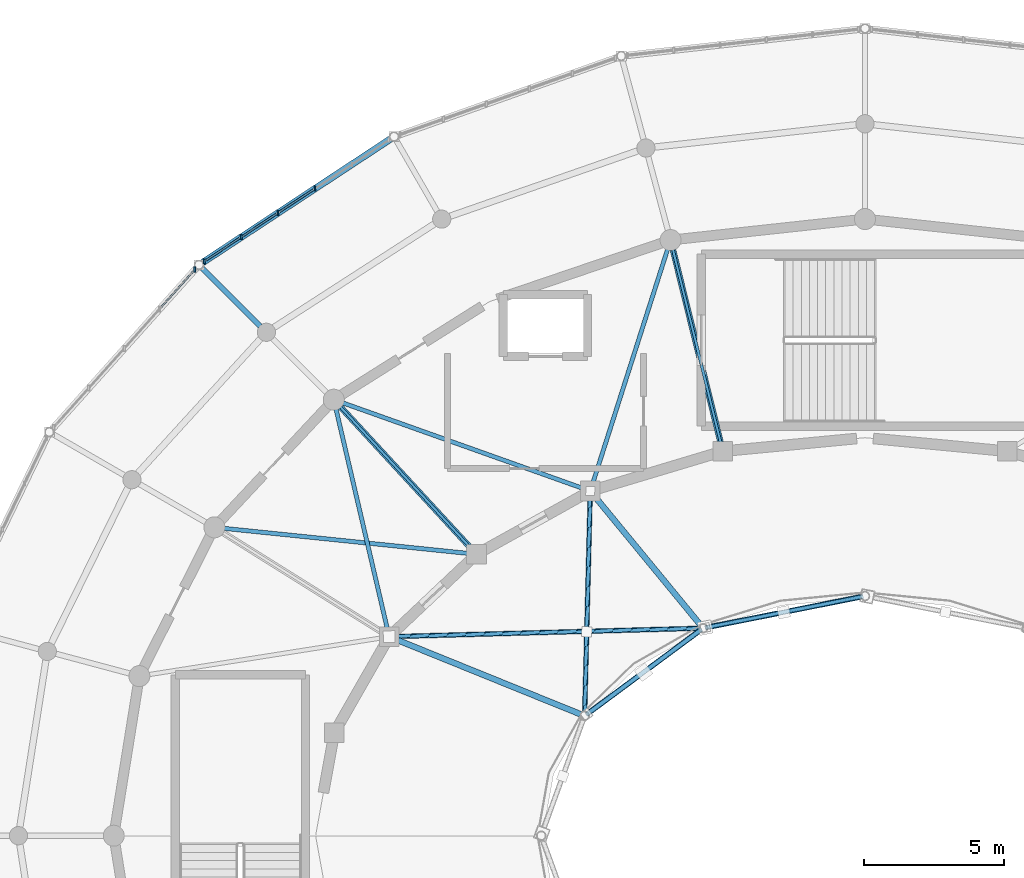
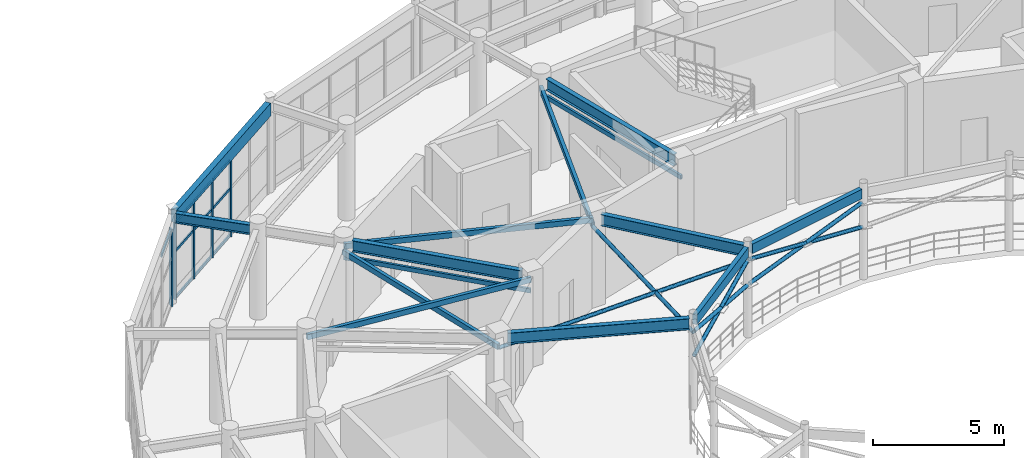
# One storey, part 21 of 60: 30 members, 8 beams, 2 elements without a shape of their own.
"""IFC4 building model written with IfcOpenShell, lengths in metres."""

from ifc_helpers import new_model, si_unit, direction, frame, origin, origin_2d, place, context, subcontext, project, spatial, rectangle, hollow_rectangle, hollow_circle, i_section, extrude, material, material_profile, profile_set, type_object, element, aggregate, save


model = new_model("IFC4")

# Units and contexts
model_context = context("Model", 3, precision=1e-05, world=origin(), true_north=direction((0.0, 1.0)))
body_context = subcontext(model_context, "Body", "Model", "MODEL_VIEW")
ifc_project = project(units=[si_unit("LENGTHUNIT", "METRE"), si_unit("AREAUNIT", "SQUARE_METRE"), si_unit("VOLUMEUNIT", "CUBIC_METRE"), si_unit("PLANEANGLEUNIT", "RADIAN"), si_unit("MASSUNIT", "GRAM", prefix="KILO")], contexts=[model_context])

# Site, building, storey
site_placement = place(None, origin())
site = spatial("IfcSite", under=ifc_project, at=site_placement, CompositionType="ELEMENT")
building_placement = place(site_placement, origin())
building = spatial("IfcBuilding", under=site, at=building_placement, Name="Cinderbank Siding Concert Hall", CompositionType="ELEMENT")
storey_placement = place(building_placement, frame((0.0, 0.0, 14.699951171875)))
storey = spatial("IfcBuildingStorey", under=building, at=storey_placement, Name="L04", CompositionType="ELEMENT", Elevation=14.699951171875)

# Beams
ifc_material_1 = material(Name="Structural steel AS/NZS 3679.1 Grade 350 (340 MPa)", Category="steel")
ifc_material_profile_1 = material_profile(ifc_material_1, i_section(OverallWidth=0.19091796875, OverallDepth=0.46044921875, WebThickness=0.010009765625, FlangeThickness=0.01611328125, at=origin_2d()), Name="460UB82.1", Category="LoadBearing")
ifc_profile_set_1 = profile_set([ifc_material_profile_1], Name="Structural steel AS/NZS 3679.1 Grade 350 (340 MPa)")
beam_type_1 = type_object("IfcBeamType", Name="BM-UB460H 460UB82.1", PredefinedType="BEAM", material=ifc_profile_set_1)
beam_1_placement = place(storey_placement, frame((100.421142578125, 62.184814453125, 4.001953125), z_axis=(-0.707106781187, 0.707106781187, 0.0), x_axis=(-0.707106781187, -0.707106781187, 0.0)))
element("IfcBeam", 1, at=beam_1_placement, inside=storey, type_object=beam_type_1, Name="L04 Beam BM-UB460H #744", PredefinedType="BEAM", context=body_context, shape_type="SweptSolid", body=[
    extrude(i_section(OverallWidth=0.19091796875, OverallDepth=0.46044921875, WebThickness=0.010009765625, FlangeThickness=0.01611328125, at=origin_2d()), origin(), (0.0, 0.0, 1.0), 2.928955078125),
])
ifc_material_profile_2 = material_profile(ifc_material_1, i_section(OverallWidth=0.208984375, OverallDepth=0.5283203125, WebThickness=0.009521484375, FlangeThickness=0.01318359375, at=origin_2d()), Name="530UB82.0", Category="LoadBearing")
ifc_profile_set_2 = profile_set([ifc_material_profile_2], Name="Structural steel AS/NZS 3679.1 Grade 350 (340 MPa)")
beam_type_2 = type_object("IfcBeamType", Name="BM-UB530 530UB82.0", PredefinedType="BEAM", material=ifc_profile_set_2)
beam_2_placement = place(storey_placement, frame((116.127197265625, 51.5234375, 3.988037109375), z_axis=(-0.635282201884, 0.772280081298, 0.0), x_axis=(-0.772280081298, -0.635282201884, 0.0)))
element("IfcBeam", 2, at=beam_2_placement, inside=storey, type_object=beam_type_2, Name="L04 Beam BM-UB530 #196", PredefinedType="BEAM", context=body_context, shape_type="SweptSolid", body=[
    extrude(i_section(OverallWidth=0.208984375, OverallDepth=0.5283203125, WebThickness=0.009521484375, FlangeThickness=0.01318359375, at=origin_2d()), origin(), (0.0, 0.0, 1.0), 5.83984375),
])
beam_3_placement = place(storey_placement, frame((111.854736328125, 48.332763671875, 3.988037109375), z_axis=(-0.926787327391, 0.375586541008, 0.0), x_axis=(-0.375586541008, -0.926787327391, 0.0)))
element("IfcBeam", 3, at=beam_3_placement, inside=storey, type_object=beam_type_2, Name="L04 Beam BM-UB530 #198", PredefinedType="BEAM", context=body_context, shape_type="SweptSolid", body=[
    extrude(i_section(OverallWidth=0.208984375, OverallDepth=0.5283203125, WebThickness=0.009521484375, FlangeThickness=0.01318359375, at=origin_2d()), origin(), (0.0, 0.0, 1.0), 7.026123046875),
])
ifc_material_profile_3 = material_profile(ifc_material_1, i_section(OverallWidth=0.208984375, OverallDepth=0.532958984375, WebThickness=0.01025390625, FlangeThickness=0.015625, at=origin_2d()), Name="530UB92.4", Category="LoadBearing")
ifc_profile_set_3 = profile_set([ifc_material_profile_3], Name="Structural steel AS/NZS 3679.1 Grade 350 (340 MPa)")
beam_type_3 = type_object("IfcBeamType", Name="BM-UB530H 530UB92.4", PredefinedType="BEAM", material=ifc_profile_set_3)
beam_4_placement = place(storey_placement, frame((116.844970703125, 58.048095703125, 3.985595703125), z_axis=(-0.240115631411, 0.970744293598, 0.0), x_axis=(-0.970744293598, -0.240115631411, 0.0)))
element("IfcBeam", 4, at=beam_4_placement, inside=storey, type_object=beam_type_3, Name="L04 Beam BM-UB530H #701", PredefinedType="BEAM", context=body_context, shape_type="SweptSolid", body=[
    extrude(i_section(OverallWidth=0.208984375, OverallDepth=0.532958984375, WebThickness=0.01025390625, FlangeThickness=0.015625, at=origin_2d()), origin(), (0.0, 0.0, 1.0), 7.05224609375),
])
beam_5_placement = place(storey_placement, frame((107.90869140625, 54.292236328125, 3.985595703125), z_axis=(-0.67829203735, 0.734792427879, 0.0), x_axis=(-0.734792427879, -0.67829203735, 0.0)))
element("IfcBeam", 5, at=beam_5_placement, inside=storey, type_object=beam_type_3, Name="L04 Beam BM-UB530H #702", PredefinedType="BEAM", context=body_context, shape_type="SweptSolid", body=[
    extrude(i_section(OverallWidth=0.208984375, OverallDepth=0.532958984375, WebThickness=0.01025390625, FlangeThickness=0.015625, at=origin_2d()), origin(), (0.0, 0.0, 1.0), 6.797119140625),
])

# Members
ifc_material_2 = material(Name="Structural steel hollow section AS/NZS 1163 Grade C350L0 (350 MPa)", Category="steel")
ifc_material_profile_4 = material_profile(ifc_material_2, hollow_circle(Radius=0.084228515625, WallThickness=0.007080078125, at=origin_2d()), Name="168.3x7.1CHS", Category="LoadBearing")
ifc_profile_set_4 = profile_set([ifc_material_profile_4], Name="Structural steel hollow section AS/NZS 1163 Grade C350L0 (350 MPa)")
member_type_1 = type_object("IfcMemberType", Name="BR-CHS168 168.3x7.1CHS Roof Truss", PredefinedType="BRACE", material=ifc_profile_set_4)
member_1_placement = place(storey_placement, frame((121.92138671875, 52.534423828125, 2.400146484375), z_axis=(-0.962024071577, -0.190807781612, 0.195197531189), x_axis=(0.194550158365, -0.980892571019, 0.0)))
element("IfcMember", 6, at=member_1_placement, inside=storey, type_object=member_type_1, Name="L04 Diagonal Brace BR-CHS168 #RKCR-BR-CHS168-L04-2104", PredefinedType="BRACE", context=body_context, shape_type="SweptSolid", body=[
    extrude(hollow_circle(Radius=0.084228515625, WallThickness=0.007080078125, at=origin_2d()), origin(), (0.0, 0.0, 1.0), 5.839599609375),
])
member_2_placement = place(storey_placement, frame((116.303466796875, 51.420166015625, 2.400146484375), z_axis=(0.962040141585, 0.190777594252, 0.195147829891), x_axis=(-0.194517417313, 0.980899064309, 0.0)))
element("IfcMember", 7, at=member_2_placement, inside=storey, type_object=member_type_1, Name="L04 Diagonal Brace BR-CHS168 #RKCR-BR-CHS168-L04-2105", PredefinedType="BRACE", context=body_context, shape_type="SweptSolid", body=[
    extrude(hollow_circle(Radius=0.084228515625, WallThickness=0.007080078125, at=origin_2d()), origin(), (0.0, 0.0, 1.0), 2.905029296875),
])
member_3_placement = place(storey_placement, frame((119.126953125, 51.97998046875, 2.972900390625), z_axis=(0.962002668162, 0.190870877109, 0.195241324318), x_axis=(-0.194616221116, 0.980879465826, 0.0)))
element("IfcMember", 8, at=member_3_placement, inside=storey, type_object=member_type_1, Name="L04 Diagonal Brace BR-CHS168 #RKCR-BR-CHS168-L04-2105-S206", PredefinedType="BRACE", context=body_context, shape_type="SweptSolid", body=[
    extrude(hollow_circle(Radius=0.084228515625, WallThickness=0.007080078125, at=origin_2d()), origin(), (0.0, 0.0, 1.0), 2.90478515625),
])
member_4_placement = place(storey_placement, frame((116.16064453125, 51.35693359375, 2.400146484375), z_axis=(-0.784369910815, -0.580673871078, 0.218132295765), x_axis=(0.595001989932, -0.803724226322, 0.0)))
element("IfcMember", 9, at=member_4_placement, inside=storey, type_object=member_type_1, Name="L04 Diagonal Brace BR-CHS168 #RKCR-BR-CHS168-L04-2106", PredefinedType="BRACE", context=body_context, shape_type="SweptSolid", body=[
    extrude(hollow_circle(Radius=0.084228515625, WallThickness=0.007080078125, at=origin_2d()), origin(), (0.0, 0.0, 1.0), 5.2255859375),
])
for number, where, z_axis, x_axis, name in (
    (10, (112.061767578125, 48.322509765625, 2.400146484375), (0.784352777564, 0.580699234671, 0.218126383504), (-0.595027173666, 0.803705582038, 0.0), "L04 Diagonal Brace BR-CHS168 #RKCR-BR-CHS168-L04-2107"),
    (11, (114.123046875, 49.848388671875, 2.973388671875), (0.784352777564, 0.580699234671, 0.218126383504), (-0.595027173666, 0.803705582038, 0.0), "L04 Diagonal Brace BR-CHS168 #RKCR-BR-CHS168-L04-2107-S207"),
):
    element("IfcMember", number, at=place(storey_placement, frame(where, z_axis=z_axis, x_axis=x_axis)), inside=storey, type_object=member_type_1, Name=name, PredefinedType="BRACE", context=body_context, shape_type="SweptSolid", body=[
        extrude(hollow_circle(Radius=0.084228515625, WallThickness=0.007080078125, at=origin_2d()), origin(), (0.0, 0.0, 1.0), 2.597900390625),
    ])
member_5_placement = place(storey_placement, frame((116.22509765625, 51.404541015625, 3.5400390625), z_axis=(-0.999630710519, -0.02717430014, 0.0), x_axis=(0.02717430014, -0.999630710519, 0.0)))
element("IfcMember", 12, at=member_5_placement, inside=storey, type_object=member_type_1, Name="L04 Diagonal Brace BR-CHS168 #RKHN-BR-CHS168-L04-2108", PredefinedType="BRACE", context=body_context, shape_type="SweptSolid", body=[
    extrude(hollow_circle(Radius=0.084228515625, WallThickness=0.007080078125, at=origin_2d()), origin(), (0.0, 0.0, 1.0), 11.203369140625),
])
member_6_placement = place(storey_placement, frame((111.997314453125, 48.27490234375, 3.5400390625), z_axis=(0.025286746999, 0.99968023909, 0.0), x_axis=(-0.99968023909, 0.025286746999, 0.0)))
element("IfcMember", 13, at=member_6_placement, inside=storey, type_object=member_type_1, Name="L04 Diagonal Brace BR-CHS168 #RKHN-BR-CHS168-L04-2109", PredefinedType="BRACE", context=body_context, shape_type="SweptSolid", body=[
    extrude(hollow_circle(Radius=0.084228515625, WallThickness=0.007080078125, at=origin_2d()), origin(), (0.0, 0.0, 1.0), 3.002685546875),
])
member_7_placement = place(storey_placement, frame((112.073974609375, 51.306640625, 3.5400390625), z_axis=(0.02523287706, 0.999681600268, 0.0), x_axis=(-0.999681600268, 0.02523287706, 0.0)))
element("IfcMember", 14, at=member_7_placement, inside=storey, type_object=member_type_1, Name="L04 Diagonal Brace BR-CHS168 #RKHN-BR-CHS168-L04-2109-S208", PredefinedType="BRACE", context=body_context, shape_type="SweptSolid", body=[
    extrude(hollow_circle(Radius=0.084228515625, WallThickness=0.007080078125, at=origin_2d()), origin(), (0.0, 0.0, 1.0), 4.99267578125),
])

# Curtain wall, members
ifc_material_3 = material(Name="Anodised aluminium alloy 6063-T6", Category="aluminium")
curtain_wall_type_1 = type_object("IfcCurtainWallType", Name="CW-09 Unitised Acoustic Curtain Wall 8000x3500", PredefinedType="NOTDEFINED", material=ifc_material_3)
curtain_wall_1_placement = place(storey_placement, origin())
curtain_wall_1 = element("IfcCurtainWall", 15, at=curtain_wall_1_placement, inside=storey, type_object=curtain_wall_type_1, Name="L04 Curtain Wall CW-09 #56", PredefinedType="NOTDEFINED")
ifc_material_profile_5 = material_profile(ifc_material_3, rectangle(XDim=0.06005859375, YDim=0.159912109375, at=origin_2d()), Name="ALU-MULL-60x160", Category="LoadBearing")
ifc_profile_set_5 = profile_set([ifc_material_profile_5], Name="Anodised aluminium alloy 6063-T6")
member_type_2 = type_object("IfcMemberType", Name="CW-ML1 Mullion 60x160", PredefinedType="MULLION", material=ifc_profile_set_5)
member_8_placement = place(storey_placement, frame((102.378662109375, 67.085693359375, 0.0), z_axis=(0.0, 0.0, 1.0), x_axis=(1.0, 0.0, 0.0)))
member_8 = element("IfcMember", 16, at=member_8_placement, type_object=member_type_2, Name="CW-L04-056 Mullion 2", PredefinedType="MULLION", context=body_context, shape_type="SweptSolid", body=[
    extrude(rectangle(XDim=0.06005859375, YDim=0.159912109375, at=origin_2d()), origin(), (0.0, 0.0, 1.0), 3.616943359375),
])
member_9_placement = place(storey_placement, frame((101.0625, 66.220458984375, 0.0), z_axis=(0.0, 0.0, 1.0), x_axis=(1.0, 0.0, 0.0)))
member_9 = element("IfcMember", 17, at=member_9_placement, type_object=member_type_2, Name="CW-L04-056 Mullion 3", PredefinedType="MULLION", context=body_context, shape_type="SweptSolid", body=[
    extrude(rectangle(XDim=0.06005859375, YDim=0.159912109375, at=origin_2d()), origin(), (0.0, 0.0, 1.0), 3.616943359375),
])
member_10_placement = place(storey_placement, frame((99.74658203125, 65.35498046875, 0.0), z_axis=(0.0, 0.0, 1.0), x_axis=(1.0, 0.0, 0.0)))
member_10 = element("IfcMember", 18, at=member_10_placement, type_object=member_type_2, Name="CW-L04-056 Mullion 4", PredefinedType="MULLION", context=body_context, shape_type="SweptSolid", body=[
    extrude(rectangle(XDim=0.06005859375, YDim=0.159912109375, at=origin_2d()), origin(), (0.0, 0.0, 1.0), 3.616943359375),
])
member_11_placement = place(storey_placement, frame((98.430908203125, 64.489501953125, 0.0), z_axis=(0.0, 0.0, 1.0), x_axis=(1.0, 0.0, 0.0)))
member_11 = element("IfcMember", 19, at=member_11_placement, type_object=member_type_2, Name="CW-L04-056 Mullion 5", PredefinedType="MULLION", context=body_context, shape_type="SweptSolid", body=[
    extrude(rectangle(XDim=0.06005859375, YDim=0.159912109375, at=origin_2d()), origin(), (0.0, 0.0, 1.0), 3.616943359375),
])

# Curtain wall, member
curtain_wall_type_2 = type_object("IfcCurtainWallType", Name="CW-10 Unitised Acoustic Curtain Wall 7200x3500", PredefinedType="NOTDEFINED", material=ifc_material_3)
curtain_wall_2_placement = place(storey_placement, origin())
curtain_wall_2 = element("IfcCurtainWall", 20, at=curtain_wall_2_placement, inside=storey, type_object=curtain_wall_type_2, Name="L04 Curtain Wall CW-10 #57", PredefinedType="NOTDEFINED")
ifc_material_profile_6 = material_profile(ifc_material_3, rectangle(XDim=0.06494140625, YDim=0.199951171875, at=origin_2d()), Name="ALU-MULL-65x200", Category="LoadBearing")
ifc_profile_set_6 = profile_set([ifc_material_profile_6], Name="Anodised aluminium alloy 6063-T6")
member_type_3 = type_object("IfcMemberType", Name="CW-ML2 Mullion 65x200", PredefinedType="MULLION", material=ifc_profile_set_6)
member_12_placement = place(storey_placement, frame((98.08984375, 64.195556640625, 0.0), z_axis=(0.0, 0.0, 1.0), x_axis=(1.0, 0.0, 0.0)))
member_12 = element("IfcMember", 21, at=member_12_placement, type_object=member_type_3, Name="CW-L04-057 Mullion 0", PredefinedType="MULLION", context=body_context, shape_type="SweptSolid", body=[
    extrude(rectangle(XDim=0.06494140625, YDim=0.199951171875, at=origin_2d()), origin(), (0.0, 0.0, 1.0), 3.616943359375),
])

# Member
ifc_material_profile_7 = material_profile(ifc_material_3, rectangle(XDim=0.06005859375, YDim=0.1201171875, at=origin_2d()), Name="ALU-TRAN-60x120", Category="LoadBearing")
ifc_profile_set_7 = profile_set([ifc_material_profile_7], Name="Anodised aluminium alloy 6063-T6")
member_type_4 = type_object("IfcMemberType", Name="CW-TR1 Transom 60x120", PredefinedType="USERDEFINED", material=ifc_profile_set_7)
member_13_placement = place(storey_placement, frame((102.312744140625, 67.04248046875, 0.06005859375), z_axis=(-0.835531529407, -0.549442502331, 0.0), x_axis=(0.549442502331, -0.835531529407, 0.0)))
member_13 = element("IfcMember", 22, at=member_13_placement, type_object=member_type_4, Name="CW-L04-056 Transom 2-0", ObjectType="TRANSOM", PredefinedType="USERDEFINED", context=body_context, shape_type="SweptSolid", body=[
    extrude(rectangle(XDim=0.06005859375, YDim=0.1201171875, at=origin_2d()), origin(), (0.0, 0.0, 1.0), 1.41748046875),
])

member_14_placement = place(storey_placement, frame((102.312744140625, 67.04248046875, 2.242431640625), z_axis=(-0.835531529407, -0.549442502331, 0.0), x_axis=(0.549442502331, -0.835531529407, 0.0)))
member_14 = element("IfcMember", 23, at=member_14_placement, type_object=member_type_4, Name="CW-L04-056 Transom 2-1", ObjectType="TRANSOM", PredefinedType="USERDEFINED", context=body_context, shape_type="SweptSolid", body=[
    extrude(rectangle(XDim=0.06005859375, YDim=0.1201171875, at=origin_2d()), origin(), (0.0, 0.0, 1.0), 1.41748046875),
])

member_15_placement = place(storey_placement, frame((102.312744140625, 67.04248046875, 3.55712890625), z_axis=(-0.835531529407, -0.549442502331, 0.0), x_axis=(0.549442502331, -0.835531529407, 0.0)))
member_15 = element("IfcMember", 24, at=member_15_placement, type_object=member_type_4, Name="CW-L04-056 Transom 2-2", ObjectType="TRANSOM", PredefinedType="USERDEFINED", context=body_context, shape_type="SweptSolid", body=[
    extrude(rectangle(XDim=0.06005859375, YDim=0.1201171875, at=origin_2d()), origin(), (0.0, 0.0, 1.0), 1.41748046875),
])

member_16_placement = place(storey_placement, frame((100.996826171875, 66.177001953125, 0.06005859375), z_axis=(-0.835531529407, -0.549442502331, 0.0), x_axis=(0.549442502331, -0.835531529407, 0.0)))
member_16 = element("IfcMember", 25, at=member_16_placement, type_object=member_type_4, Name="CW-L04-056 Transom 3-0", ObjectType="TRANSOM", PredefinedType="USERDEFINED", context=body_context, shape_type="SweptSolid", body=[
    extrude(rectangle(XDim=0.06005859375, YDim=0.1201171875, at=origin_2d()), origin(), (0.0, 0.0, 1.0), 1.41748046875),
])

member_17_placement = place(storey_placement, frame((100.996826171875, 66.177001953125, 2.242431640625), z_axis=(-0.835531529407, -0.549442502331, 0.0), x_axis=(0.549442502331, -0.835531529407, 0.0)))
member_17 = element("IfcMember", 26, at=member_17_placement, type_object=member_type_4, Name="CW-L04-056 Transom 3-1", ObjectType="TRANSOM", PredefinedType="USERDEFINED", context=body_context, shape_type="SweptSolid", body=[
    extrude(rectangle(XDim=0.06005859375, YDim=0.1201171875, at=origin_2d()), origin(), (0.0, 0.0, 1.0), 1.41748046875),
])

member_18_placement = place(storey_placement, frame((100.996826171875, 66.177001953125, 3.55712890625), z_axis=(-0.835531529407, -0.549442502331, 0.0), x_axis=(0.549442502331, -0.835531529407, 0.0)))
member_18 = element("IfcMember", 27, at=member_18_placement, type_object=member_type_4, Name="CW-L04-056 Transom 3-2", ObjectType="TRANSOM", PredefinedType="USERDEFINED", context=body_context, shape_type="SweptSolid", body=[
    extrude(rectangle(XDim=0.06005859375, YDim=0.1201171875, at=origin_2d()), origin(), (0.0, 0.0, 1.0), 1.41748046875),
])

member_19_placement = place(storey_placement, frame((99.680908203125, 65.3115234375, 0.06005859375), z_axis=(-0.835531529407, -0.549442502331, 0.0), x_axis=(0.549442502331, -0.835531529407, 0.0)))
member_19 = element("IfcMember", 28, at=member_19_placement, type_object=member_type_4, Name="CW-L04-056 Transom 4-0", ObjectType="TRANSOM", PredefinedType="USERDEFINED", context=body_context, shape_type="SweptSolid", body=[
    extrude(rectangle(XDim=0.06005859375, YDim=0.1201171875, at=origin_2d()), origin(), (0.0, 0.0, 1.0), 1.41748046875),
])

member_20_placement = place(storey_placement, frame((99.680908203125, 65.3115234375, 2.242431640625), z_axis=(-0.835531529407, -0.549442502331, 0.0), x_axis=(0.549442502331, -0.835531529407, 0.0)))
member_20 = element("IfcMember", 29, at=member_20_placement, type_object=member_type_4, Name="CW-L04-056 Transom 4-1", ObjectType="TRANSOM", PredefinedType="USERDEFINED", context=body_context, shape_type="SweptSolid", body=[
    extrude(rectangle(XDim=0.06005859375, YDim=0.1201171875, at=origin_2d()), origin(), (0.0, 0.0, 1.0), 1.41748046875),
])

member_21_placement = place(storey_placement, frame((99.680908203125, 65.3115234375, 3.55712890625), z_axis=(-0.835531529407, -0.549442502331, 0.0), x_axis=(0.549442502331, -0.835531529407, 0.0)))
member_21 = element("IfcMember", 30, at=member_21_placement, type_object=member_type_4, Name="CW-L04-056 Transom 4-2", ObjectType="TRANSOM", PredefinedType="USERDEFINED", context=body_context, shape_type="SweptSolid", body=[
    extrude(rectangle(XDim=0.06005859375, YDim=0.1201171875, at=origin_2d()), origin(), (0.0, 0.0, 1.0), 1.41748046875),
])

aggregate(curtain_wall_1, [member_8, member_9, member_10, member_11, member_13, member_14, member_15, member_16, member_17, member_18, member_19, member_20, member_21])

ifc_material_profile_8 = material_profile(ifc_material_3, rectangle(XDim=0.06494140625, YDim=0.14990234375, at=origin_2d()), Name="ALU-TRAN-65x150", Category="LoadBearing")
ifc_profile_set_8 = profile_set([ifc_material_profile_8], Name="Anodised aluminium alloy 6063-T6")
member_type_5 = type_object("IfcMemberType", Name="CW-TR2 Transom 65x150", PredefinedType="USERDEFINED", material=ifc_profile_set_8)
member_22_placement = place(storey_placement, frame((98.02685546875, 64.125244140625, 3.55712890625), z_axis=(-0.667017441515, -0.745042101304, 0.0), x_axis=(0.745042101304, -0.667017441515, 0.0)))
member_22 = element("IfcMember", 31, at=member_22_placement, type_object=member_type_5, Name="CW-L04-057 Transom 0-2", ObjectType="TRANSOM", PredefinedType="USERDEFINED", context=body_context, shape_type="SweptSolid", body=[
    extrude(rectangle(XDim=0.06494140625, YDim=0.14990234375, at=origin_2d()), origin(), (0.0, 0.0, 1.0), 1.698974609375),
])

aggregate(curtain_wall_2, [member_12, member_22])

# Members
ifc_material_profile_9 = material_profile(ifc_material_2, hollow_rectangle(XDim=0.10009765625, YDim=0.199951171875, WallThickness=0.008056640625, at=origin_2d()), Name="200x100x8.0RHS", Category="LoadBearing")
ifc_profile_set_9 = profile_set([ifc_material_profile_9], Name="Structural steel hollow section AS/NZS 1163 Grade C350L0 (350 MPa)")
member_type_6 = type_object("IfcMemberType", Name="PR-RHS200 200x100x8.0RHS Roof Truss", PredefinedType="PURLIN", material=ifc_profile_set_9)
member_23_placement = place(storey_placement, frame((116.927001953125, 57.716064453125, 3.340087890625), z_axis=(-0.240070192761, 0.970755531814, 0.0), x_axis=(-0.970755531814, -0.240070192761, 0.0)))
element("IfcMember", 32, at=member_23_placement, inside=storey, type_object=member_type_6, Name="L04 Roof Truss Member PR-RHS200 #2274", PredefinedType="PURLIN", context=body_context, shape_type="SweptSolid", body=[
    extrude(hollow_rectangle(XDim=0.10009765625, YDim=0.199951171875, WallThickness=0.008056640625, at=origin_2d()), origin(), (0.0, 0.0, 1.0), 7.761474609375),
])
member_24_placement = place(storey_placement, frame((108.140625, 54.041015625, 3.340087890625), z_axis=(-0.678276049894, 0.734807185689, 0.0), x_axis=(-0.734807185689, -0.678276049894, 0.0)))
element("IfcMember", 33, at=member_24_placement, inside=storey, type_object=member_type_6, Name="L04 Roof Truss Member PR-RHS200 #2278", PredefinedType="PURLIN", context=body_context, shape_type="SweptSolid", body=[
    extrude(hollow_rectangle(XDim=0.10009765625, YDim=0.199951171875, WallThickness=0.008056640625, at=origin_2d()), origin(), (0.0, 0.0, 1.0), 7.505859375),
])

# Beams
ifc_material_4 = material(Name="Spotted gum glulam timber GL18 (42 MPa)", Category="wood")
ifc_material_profile_10 = material_profile(ifc_material_4, rectangle(XDim=0.18994140625, YDim=0.449951171875, at=origin_2d()), Name="GL18-190x450", Category="LoadBearing")
ifc_profile_set_10 = profile_set([ifc_material_profile_10], Name="Spotted gum glulam timber GL18 (42 MPa)")
beam_type_4 = type_object("IfcBeamType", Name="SP-GL450 GL18-190x450", PredefinedType="SPANDREL", material=ifc_profile_set_10)
beam_6_placement = place(storey_placement, frame((121.84912109375, 52.52001953125, 4.027099609375), z_axis=(-0.980895780778, -0.194533974545, 0.0), x_axis=(0.194533974545, -0.980895780778, 0.0)))
element("IfcBeam", 34, at=beam_6_placement, inside=storey, type_object=beam_type_4, Name="L04 Beam SP-GL450 #194", PredefinedType="SPANDREL", context=body_context, shape_type="SweptSolid", body=[
    extrude(rectangle(XDim=0.18994140625, YDim=0.449951171875, at=origin_2d()), origin(), (0.0, 0.0, 1.0), 5.579833984375),
])
beam_7_placement = place(storey_placement, frame((116.101318359375, 51.31298828125, 4.027099609375), z_axis=(-0.803752781555, -0.594963415801, 0.0), x_axis=(0.594963415801, -0.803752781555, 0.0)))
element("IfcBeam", 35, at=beam_7_placement, inside=storey, type_object=beam_type_4, Name="L04 Beam SP-GL450 #195", PredefinedType="SPANDREL", context=body_context, shape_type="SweptSolid", body=[
    extrude(rectangle(XDim=0.18994140625, YDim=0.449951171875, at=origin_2d()), origin(), (0.0, 0.0, 1.0), 4.9521484375),
])
ifc_material_profile_11 = material_profile(ifc_material_4, rectangle(XDim=0.239990234375, YDim=0.60009765625, at=origin_2d()), Name="GL18-240x600", Category="LoadBearing")
ifc_profile_set_11 = profile_set([ifc_material_profile_11], Name="Spotted gum glulam timber GL18 (42 MPa)")
beam_type_5 = type_object("IfcBeamType", Name="SP-GL600 GL18-240x600", PredefinedType="SPANDREL", material=ifc_profile_set_11)
beam_8_placement = place(storey_placement, frame((105.0712890625, 68.85693359375, 3.93212890625), z_axis=(-0.835480702777, -0.549519786074, 0.0), x_axis=(0.549519786074, -0.835480702777, 0.0)))
element("IfcBeam", 36, at=beam_8_placement, inside=storey, type_object=beam_type_5, Name="L04 Beam SP-GL600 #684", PredefinedType="SPANDREL", context=body_context, shape_type="SweptSolid", body=[
    extrude(rectangle(XDim=0.239990234375, YDim=0.60009765625, at=origin_2d()), origin(), (0.0, 0.0, 1.0), 8.02099609375),
])

# Members
ifc_material_profile_12 = material_profile(ifc_material_2, hollow_rectangle(XDim=0.14990234375, YDim=0.25, WallThickness=0.009033203125, at=origin_2d()), Name="250x150x9.0RHS", Category="LoadBearing")
ifc_profile_set_12 = profile_set([ifc_material_profile_12], Name="Structural steel hollow section AS/NZS 1163 Grade C350L0 (350 MPa)")
member_type_7 = type_object("IfcMemberType", Name="TR-RHS250 250x150x9.0RHS Roof Truss", PredefinedType="RAFTER", material=ifc_profile_set_12)
member_25_placement = place(storey_placement, frame((112.199951171875, 56.297607421875, 3.60009765625), z_axis=(0.304664519425, 0.952459726499, 0.0), x_axis=(-0.952459726499, 0.304664519425, 0.0)))
element("IfcMember", 37, at=member_25_placement, inside=storey, type_object=member_type_7, Name="L04 Roof Truss Member TR-RHS250 #2273", PredefinedType="RAFTER", context=body_context, shape_type="SweptSolid", body=[
    extrude(hollow_rectangle(XDim=0.14990234375, YDim=0.25, WallThickness=0.009033203125, at=origin_2d()), origin(), (0.0, 0.0, 1.0), 9.399658203125),
])
member_26_placement = place(storey_placement, frame((112.199951171875, 56.297607421875, 3.880126953125), z_axis=(-0.942041785809, 0.335495564487, 0.0), x_axis=(-0.335495564487, -0.942041785809, 0.0)))
element("IfcMember", 38, at=member_26_placement, inside=storey, type_object=member_type_7, Name="L04 Roof Truss Member TR-RHS250 #2275", PredefinedType="RAFTER", context=body_context, shape_type="SweptSolid", body=[
    extrude(hollow_rectangle(XDim=0.14990234375, YDim=0.25, WallThickness=0.009033203125, at=origin_2d()), origin(), (0.0, 0.0, 1.0), 9.71337890625),
])
member_27_placement = place(storey_placement, frame((108.140625, 54.041015625, 3.880126953125), z_axis=(-0.994781438611, 0.102028865499, 0.0), x_axis=(-0.102028865499, -0.994781438611, 0.0)))
element("IfcMember", 39, at=member_27_placement, inside=storey, type_object=member_type_7, Name="L04 Roof Truss Member TR-RHS250 #2276", PredefinedType="RAFTER", context=body_context, shape_type="SweptSolid", body=[
    extrude(hollow_rectangle(XDim=0.14990234375, YDim=0.25, WallThickness=0.009033203125, at=origin_2d()), origin(), (0.0, 0.0, 1.0), 9.399169921875),
])
member_28_placement = place(storey_placement, frame((105.02587890625, 51.10009765625, 3.60009765625), z_axis=(-0.227577092084, 0.973760066525, 0.0), x_axis=(-0.973760066525, -0.227577092084, 0.0)))
element("IfcMember", 40, at=member_28_placement, inside=storey, type_object=member_type_7, Name="L04 Roof Truss Member TR-RHS250 #2277", PredefinedType="RAFTER", context=body_context, shape_type="SweptSolid", body=[
    extrude(hollow_rectangle(XDim=0.14990234375, YDim=0.25, WallThickness=0.009033203125, at=origin_2d()), origin(), (0.0, 0.0, 1.0), 8.68408203125),
])

save(model, "model.ifc")
